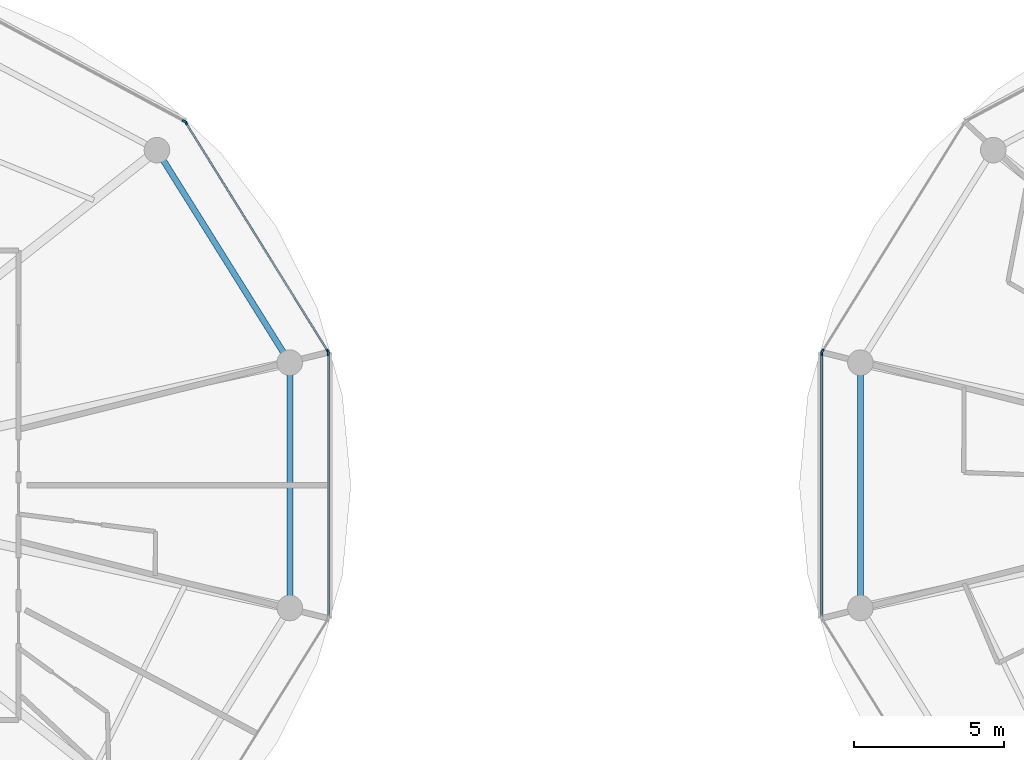
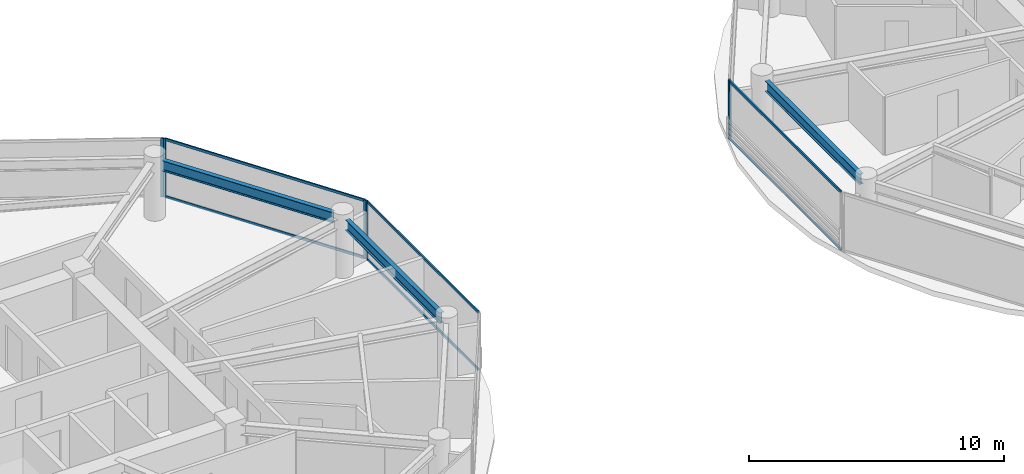
# One storey, part 7 of 24: 12 members, 3 beams, 5 elements without a shape of their own.
"""IFC4 building model written with IfcOpenShell, lengths in metres."""

import ifcopenshell
import ifcopenshell.guid

model = None  # the IFC model being written
_history = None  # IfcOwnerHistory: only IFC2X3 demands one
_inside = {}  # id of a spatial element -> (the spatial element, [elements in it])
_under = {}  # id of a project, library or spatial element -> (it, [spatial elements below it])
_declared = {}  # id of a project -> (the project, [libraries it declares])
_typed = {}  # id of a type object -> (the type object, [elements of that type])
_made_of = {}  # id of a material, layer set ... -> (it, [elements and type objects made of it])


def new_model(schema):
    """Start an empty IFC model of exactly this schema.

    Asked for "IFC4X3", IfcOpenShell would pick the latest addendum, in which some entities
    have other attributes; the version numbers below select the first issue.
    IFC2X3 requires an IfcOwnerHistory on every rooted entity: one is made here for all.
    """
    global model, _history
    if schema == "IFC4X3":
        model = ifcopenshell.file(schema_version=(4, 3, 0, 0))
    else:
        model = ifcopenshell.file(schema=schema)
    _inside.clear()
    _under.clear()
    _declared.clear()
    _typed.clear()
    _made_of.clear()
    _history = None
    if model.schema == "IFC2X3":
        org = make("IfcOrganization", Name="unknown")
        user = make(
            "IfcPersonAndOrganization",
            ThePerson=make("IfcPerson", FamilyName="unknown"),
            TheOrganization=org,
        )
        app = make(
            "IfcApplication",
            ApplicationDeveloper=org,
            Version="unknown",
            ApplicationFullName="unknown",
            ApplicationIdentifier="unknown",
        )
        _history = make(
            "IfcOwnerHistory",
            OwningUser=user,
            OwningApplication=app,
            ChangeAction="ADDED",
            CreationDate=0,
        )
    return model


def make(cls, **values):
    """One entity of the class cls with the attributes given. An attribute that is None is left unset."""
    return model.create_entity(
        cls, **{name: value for name, value in values.items() if value is not None}
    )


def rooted(cls, **values):
    """An entity with a GlobalId (a new one), such as an element, a storey or a relation."""
    return make(cls, GlobalId=ifcopenshell.guid.new(), OwnerHistory=_history, **values)


def si_unit(unit_type, name, prefix=None):
    """IfcSIUnit, for example si_unit("LENGTHUNIT", "METRE", prefix="MILLI")."""
    return make("IfcSIUnit", UnitType=unit_type, Prefix=prefix, Name=name)


def assignment(units):
    """IfcUnitAssignment: the units of a project."""
    return None if units is None else make("IfcUnitAssignment", Units=units)


def point(xyz):
    """IfcCartesianPoint."""
    return None if xyz is None else make("IfcCartesianPoint", Coordinates=xyz)


def direction(xyz):
    """IfcDirection."""
    return None if xyz is None else make("IfcDirection", DirectionRatios=xyz)


def frame(location, z_axis=None, x_axis=None):
    """IfcAxis2Placement3D, a coordinate frame: its origin and axes. An axis left out is left unset."""
    return make(
        "IfcAxis2Placement3D",
        Location=point(location),
        Axis=direction(z_axis),
        RefDirection=direction(x_axis),
    )


def frame_2d(location, x_axis=None):
    """IfcAxis2Placement2D, a coordinate frame in the plane: its origin and x axis."""
    return make(
        "IfcAxis2Placement2D", Location=point(location), RefDirection=direction(x_axis)
    )


def origin():
    """The frame at (0, 0, 0) with its axes left unset."""
    return frame((0.0, 0.0, 0.0))


def origin_2d():
    """The frame at (0, 0) in the plane with its x axis left unset."""
    return frame_2d((0.0, 0.0))


def place(relative_to, where):
    """IfcLocalPlacement: puts the frame where relative to a parent placement (None: the world)."""
    return make(
        "IfcLocalPlacement", PlacementRelTo=relative_to, RelativePlacement=where
    )


def context(
    kind, dimensions, precision=None, world=None, true_north=None, identifier=None
):
    """IfcGeometricRepresentationContext, for example the 3D "Model" context."""
    return make(
        "IfcGeometricRepresentationContext",
        ContextIdentifier=identifier,
        ContextType=kind,
        CoordinateSpaceDimension=dimensions,
        Precision=precision,
        WorldCoordinateSystem=world,
        TrueNorth=true_north,
    )


def subcontext(parent, identifier, kind, view, scale=None):
    """IfcGeometricRepresentationSubContext, for example "Body" below "Model"."""
    return make(
        "IfcGeometricRepresentationSubContext",
        ContextIdentifier=identifier,
        ContextType=kind,
        ParentContext=parent,
        TargetScale=scale,
        TargetView=view,
    )


def project(units=None, contexts=None):
    """IfcProject with its units and contexts."""
    return rooted(
        "IfcProject",
        Name="project",
        RepresentationContexts=contexts,
        UnitsInContext=assignment(units),
    )


def spatial(cls, under=None, at=None, **own):
    """A site, building, storey or space (cls), placed at a placement, below another one or the project."""
    s = rooted(cls, ObjectPlacement=at, **own)
    if under is not None:
        _under.setdefault(under.id(), (under, []))[1].append(s)
    return s


def profile(cls, at=None, kind="AREA", **sizes):
    """A parametric profile (cls). Its sizes go by their IFC names, for example OverallWidth=200.0."""
    return make(cls, ProfileType=kind, Position=at, **sizes)


def rectangle(**sizes):
    """IfcRectangleProfileDef."""
    return profile("IfcRectangleProfileDef", **sizes)


def i_section(**sizes):
    """IfcIShapeProfileDef."""
    return profile("IfcIShapeProfileDef", **sizes)


def extrude(swept, where, along, depth):
    """IfcExtrudedAreaSolid: the profile swept, set in the frame where, extruded along a direction by depth."""
    return make(
        "IfcExtrudedAreaSolid",
        SweptArea=swept,
        Position=where,
        ExtrudedDirection=direction(along),
        Depth=depth,
    )


def shape(context_of_items, identifier, shape_type, items):
    """IfcShapeRepresentation: the items that make up one representation, for example the "Body"."""
    return make(
        "IfcShapeRepresentation",
        ContextOfItems=context_of_items,
        RepresentationIdentifier=identifier,
        RepresentationType=shape_type,
        Items=items,
    )


def source(mapping_origin, context_of_items, identifier, shape_type, items):
    """IfcRepresentationMap: a shape defined once, which mapped items show again and again."""
    return make(
        "IfcRepresentationMap",
        MappingOrigin=mapping_origin,
        MappedRepresentation=shape(context_of_items, identifier, shape_type, items),
    )


def transform(
    local_origin,
    x_axis=None,
    y_axis=None,
    z_axis=None,
    scale=None,
    scale2=None,
    scale3=None,
    uniform=True,
):
    """IfcCartesianTransformationOperator3D, or its non-uniform kind. x_axis, y_axis, z_axis: its Axis1, 2, 3."""
    if uniform:
        return make(
            "IfcCartesianTransformationOperator3D",
            Axis1=direction(x_axis),
            Axis2=direction(y_axis),
            LocalOrigin=point(local_origin),
            Scale=scale,
            Axis3=direction(z_axis),
        )
    return make(
        "IfcCartesianTransformationOperator3DnonUniform",
        Axis1=direction(x_axis),
        Axis2=direction(y_axis),
        LocalOrigin=point(local_origin),
        Scale=scale,
        Axis3=direction(z_axis),
        Scale2=scale2,
        Scale3=scale3,
    )


def mapped(mapping_source, mapping_target):
    """IfcMappedItem: shows the shape of a source again, moved by a transform."""
    return make(
        "IfcMappedItem", MappingSource=mapping_source, MappingTarget=mapping_target
    )


def material(Name=None, Category=None):
    """IfcMaterial."""
    return make("IfcMaterial", Name=Name, Category=Category)


def layer(
    of_material, thickness, ventilated=None, Name=None, Category=None, Priority=None
):
    """IfcMaterialLayer: one layer of a wall or slab, of a material (None: an air gap)."""
    return make(
        "IfcMaterialLayer",
        Material=of_material,
        LayerThickness=thickness,
        IsVentilated=ventilated,
        Name=Name,
        Category=Category,
        Priority=Priority,
    )


def layer_set(layers, Name=None):
    """IfcMaterialLayerSet."""
    return make("IfcMaterialLayerSet", MaterialLayers=layers, LayerSetName=Name)


def material_profile(
    of_material, cross_section, Name=None, Category=None, Priority=None
):
    """IfcMaterialProfile: a cross section and its material."""
    return make(
        "IfcMaterialProfile",
        Name=Name,
        Material=of_material,
        Profile=cross_section,
        Priority=Priority,
        Category=Category,
    )


def profile_set(profiles, Name=None, composite=None):
    """IfcMaterialProfileSet."""
    return make(
        "IfcMaterialProfileSet",
        Name=Name,
        MaterialProfiles=profiles,
        CompositeProfile=composite,
    )


def made_of(thing, what):
    """Note that an element or type object is made of a material, layer set ...; save() writes the relation."""
    if what is not None:
        _made_of.setdefault(what.id(), (what, []))[1].append(thing)
    return thing


def type_object(cls, material=None, **own):
    """A type object (cls), such as IfcWallType, which elements share."""
    return made_of(rooted(cls, **own), material)


def type_shapes(of_type, sources):
    """Give a type object the sources (RepresentationMaps) that its elements show as mapped items."""
    of_type.RepresentationMaps = sources


def element(
    cls,
    number,
    at=None,
    inside=None,
    cuts=None,
    type_object=None,
    material=None,
    context=None,
    identifier="Body",
    shape_type=None,
    held_by="IfcProductDefinitionShape",
    body=None,
    shapes=None,
    **own,
):
    """One element of the class cls, such as IfcWall. Its Tag is "e" and its number.

    at: its placement. inside: the storey or other place that contains it. cuts: it is an
    opening in that element (IfcRelVoidsElement). A single representation is given by context,
    identifier, shape_type and body (its items); several are given by shapes. held_by: the class
    of the entity that holds the representations. save() writes the other relations.
    """
    e = rooted(cls, Tag="e%d" % number, ObjectPlacement=at, **own)
    if body is not None:
        shapes = [shape(context, identifier, shape_type, body)]
    if shapes is not None:
        e.Representation = make(held_by, Representations=shapes)
    if inside is not None:
        _inside.setdefault(inside.id(), (inside, []))[1].append(e)
    if cuts is not None:
        rooted(
            "IfcRelVoidsElement", RelatingBuildingElement=cuts, RelatedOpeningElement=e
        )
    if type_object is not None:
        _typed.setdefault(type_object.id(), (type_object, []))[1].append(e)
    return made_of(e, material)


def aggregate(whole, parts):
    """IfcRelAggregates: a whole, such as a stair, and the parts it consists of."""
    return rooted("IfcRelAggregates", RelatingObject=whole, RelatedObjects=parts)


def save(model, path):
    """Write the relations noted so far, then the file.

    IfcRelAggregates (storeys below a building ...), IfcRelContainedInSpatialStructure (elements
    in a storey), IfcRelDefinesByType, IfcRelAssociatesMaterial and IfcRelDeclares: one each for
    every whole, place, type object, material and project.
    """
    for whole, parts in _under.values():
        aggregate(whole, parts)
    for where, things in _inside.values():
        rooted(
            "IfcRelContainedInSpatialStructure",
            RelatedElements=things,
            RelatingStructure=where,
        )
    for kind, things in _typed.values():
        rooted("IfcRelDefinesByType", RelatedObjects=things, RelatingType=kind)
    for what, things in _made_of.values():
        rooted("IfcRelAssociatesMaterial", RelatedObjects=things, RelatingMaterial=what)
    for by, libraries in _declared.values():
        rooted("IfcRelDeclares", RelatingContext=by, RelatedDefinitions=libraries)
    model.write(path)


model = new_model("IFC4")

# Units and contexts
model_context = context("Model", 3, precision=1e-05, world=origin(), true_north=direction((0.0, 1.0)))
body_context = subcontext(model_context, "Body", "Model", "MODEL_VIEW")
ifc_project = project(units=[si_unit("LENGTHUNIT", "METRE"), si_unit("AREAUNIT", "SQUARE_METRE"), si_unit("VOLUMEUNIT", "CUBIC_METRE"), si_unit("PLANEANGLEUNIT", "RADIAN"), si_unit("MASSUNIT", "GRAM", prefix="KILO")], contexts=[model_context])

# Site, building, storey
site_placement = place(None, origin())
site = spatial("IfcSite", under=ifc_project, at=site_placement, CompositionType="ELEMENT")
building_placement = place(site_placement, origin())
building = spatial("IfcBuilding", under=site, at=building_placement, Name="Norrkilde Senior Care Towers", CompositionType="ELEMENT")
storey_placement = place(building_placement, frame((0.0, 0.0, 102.35009765625)))
storey = spatial("IfcBuildingStorey", under=building, at=storey_placement, Name="L31", CompositionType="ELEMENT", Elevation=102.35009765625)

# Beams
ifc_material_1 = material(Name="Steel S355", Category="steel")
ifc_material_profile_1 = material_profile(ifc_material_1, i_section(OverallWidth=0.199951171875, OverallDepth=0.5, WebThickness=0.01025390625, FlangeThickness=0.01611328125, FilletRadius=0.02099609375, at=origin_2d()), Name="IPE 500")
ifc_profile_set_1 = profile_set([ifc_material_profile_1], Name="Steel S355")
beam_type = type_object("IfcBeamType", Name="Perimeter Ring Spandrel Z2 IPE500", PredefinedType="SPANDREL", material=ifc_profile_set_1)
shared_shape_1 = source(origin(), body_context, "Body", "SweptSolid", [
    extrude(i_section(OverallWidth=0.199951171875, OverallDepth=0.5, WebThickness=0.01025390625, FlangeThickness=0.01611328125, FilletRadius=0.02099609375, at=origin_2d()), origin(), (0.0, 0.0, 1.0), 7.55615234375),
])
beam_placement = place(storey_placement, frame((-9.68505859375, 4.40283203125, 2.539794921875), z_axis=(-0.529981514254, 0.848009194849, 0.0), x_axis=(-0.848009194849, -0.529981514254, 0.0)))
element("IfcBeam", 1, at=beam_placement, inside=storey, type_object=beam_type, Name="L31 Drum W Perimeter Spandrel 01", PredefinedType="SPANDREL", context=body_context, shape_type="MappedRepresentation", body=[
    mapped(shared_shape_1, transform((0.0, 0.0, 0.0), x_axis=(1.0, 0.0, 0.0), y_axis=(0.0, 1.0, 0.0), z_axis=(0.0, 0.0, 1.0), scale=1.0)),
])
shared_shape_2 = source(origin(), body_context, "Body", "SweptSolid", [
    extrude(i_section(OverallWidth=0.199951171875, OverallDepth=0.5, WebThickness=0.01025390625, FlangeThickness=0.01611328125, FilletRadius=0.02099609375, at=origin_2d()), origin(), (0.0, 0.0, 1.0), 7.3828125),
])
type_shapes(beam_type, [shared_shape_1, shared_shape_2])
for number, where, z_axis, x_axis, name in (
    (2, (-9.48095703125, -3.69140625, 2.539794921875), (0.0, 1.0, 0.0), (-1.0, 0.0, 0.0), "L31 Drum W Perimeter Spandrel 12"),
    (3, (9.48095703125, 3.69140625, 2.539794921875), (0.0, -1.0, 0.0), (1.0, 0.0, 0.0), "L31 Drum E Perimeter Spandrel 06"),
):
    element("IfcBeam", number, at=place(storey_placement, frame(where, z_axis=z_axis, x_axis=x_axis)), inside=storey, type_object=beam_type, Name=name, PredefinedType="SPANDREL", context=body_context, shape_type="MappedRepresentation", body=[
        mapped(shared_shape_2, transform((0.0, 0.0, 0.0), x_axis=(1.0, 0.0, 0.0), y_axis=(0.0, 1.0, 0.0), z_axis=(0.0, 0.0, 1.0), scale=1.0)),
    ])

# Curtain wall, members
ifc_material_2 = material(Name="Triple Low-E Insulated Glazing", Category="glass")
ifc_layer = layer(ifc_material_2, 0.195068359375)
ifc_layer_set = layer_set([ifc_layer], Name="Triple Low-E Insulated Glazing")
curtain_wall_type = type_object("IfcCurtainWallType", Name="CW3 Zone 2 Assisted Living Curtain Wall", PredefinedType="NOTDEFINED", material=ifc_layer_set)
curtain_wall_1_placement = place(storey_placement, origin())
curtain_wall_1 = element("IfcCurtainWall", 4, at=curtain_wall_1_placement, inside=storey, type_object=curtain_wall_type, Name="L31 Drum W Curtain Wall 00", PredefinedType="NOTDEFINED")
ifc_material_3 = material(Name="Anodised Aluminium", Category="aluminium")
ifc_material_profile_2 = material_profile(ifc_material_3, rectangle(XDim=0.06494140625, YDim=0.159912109375, at=origin_2d()), Name="ALU MULL 65x160")
ifc_profile_set_2 = profile_set([ifc_material_profile_2], Name="Anodised Aluminium")
member_type_1 = type_object("IfcMemberType", Name="Curtain Wall Mullion Z1-Z2 65x160", PredefinedType="MULLION", material=ifc_profile_set_2)
shared_shape_3 = source(origin(), body_context, "Body", "SweptSolid", [
    extrude(rectangle(XDim=0.06494140625, YDim=0.159912109375, at=origin_2d()), origin(), (0.0, 0.0, 1.0), 2.789794921875),
])
type_shapes(member_type_1, [shared_shape_3])
member_1_placement = place(storey_placement, frame((-12.936279296875, 12.0498046875, 0.0), z_axis=(0.0, 0.0, 1.0), x_axis=(0.849410171862, 0.527733228002, 0.0)))
member_1 = element("IfcMember", 5, at=member_1_placement, type_object=member_type_1, Name="CW-3 mullion 1", PredefinedType="MULLION", context=body_context, shape_type="MappedRepresentation", body=[
    mapped(shared_shape_3, transform((0.0, 0.0, 0.0), x_axis=(1.0, 0.0, 0.0), y_axis=(0.0, 1.0, 0.0), z_axis=(0.0, 0.0, 1.0), scale=1.0)),
])
member_2_placement = place(storey_placement, frame((-8.21337890625, 4.4482421875, 0.0), z_axis=(0.0, 0.0, 1.0), x_axis=(0.849410171862, 0.527733228002, 0.0)))
member_2 = element("IfcMember", 6, at=member_2_placement, type_object=member_type_1, Name="CW-3 mullion 2", PredefinedType="MULLION", context=body_context, shape_type="MappedRepresentation", body=[
    mapped(shared_shape_3, transform((0.0, 0.0, 0.0), x_axis=(1.0, 0.0, 0.0), y_axis=(0.0, 1.0, 0.0), z_axis=(0.0, 0.0, 1.0), scale=1.0)),
])

# Curtain wall, member
curtain_wall_2_placement = place(storey_placement, origin())
curtain_wall_2 = element("IfcCurtainWall", 7, at=curtain_wall_2_placement, inside=storey, type_object=curtain_wall_type, Name="L31 Drum W Curtain Wall 01", PredefinedType="NOTDEFINED")
member_3_placement = place(storey_placement, frame((-12.98193359375, 12.0927734375, 0.0), z_axis=(0.0, 0.0, 1.0), x_axis=(0.472769402511, 0.881186184668, 0.0)))
member_3 = element("IfcMember", 8, at=member_3_placement, type_object=member_type_1, Name="CW-3 mullion 2", PredefinedType="MULLION", context=body_context, shape_type="MappedRepresentation", body=[
    mapped(shared_shape_3, transform((0.0, 0.0, 0.0), x_axis=(1.0, 0.0, 0.0), y_axis=(0.0, 1.0, 0.0), z_axis=(0.0, 0.0, 1.0), scale=1.0)),
])
aggregate(curtain_wall_2, [member_3])

curtain_wall_3_placement = place(storey_placement, origin())
curtain_wall_3 = element("IfcCurtainWall", 9, at=curtain_wall_3_placement, inside=storey, type_object=curtain_wall_type, Name="L31 Drum W Curtain Wall 11", PredefinedType="NOTDEFINED")
member_4_placement = place(storey_placement, frame((-8.1962890625, 4.38818359375, 0.0), z_axis=(0.0, 0.0, 1.0), x_axis=(1.0, 0.0, 0.0)))
member_4 = element("IfcMember", 10, at=member_4_placement, type_object=member_type_1, Name="CW-3 mullion 1", PredefinedType="MULLION", context=body_context, shape_type="MappedRepresentation", body=[
    mapped(shared_shape_3, transform((0.0, 0.0, 0.0), x_axis=(1.0, 0.0, 0.0), y_axis=(0.0, 1.0, 0.0), z_axis=(0.0, 0.0, 1.0), scale=1.0)),
])

curtain_wall_4_placement = place(storey_placement, origin())
curtain_wall_4 = element("IfcCurtainWall", 11, at=curtain_wall_4_placement, inside=storey, type_object=curtain_wall_type, Name="L31 Drum E Curtain Wall 04", PredefinedType="NOTDEFINED")
member_5_placement = place(storey_placement, frame((8.21337890625, 4.4482421875, 0.0), z_axis=(0.0, 0.0, 1.0), x_axis=(-0.849410171862, 0.527733228002, 0.0)))
member_5 = element("IfcMember", 12, at=member_5_placement, type_object=member_type_1, Name="CW-3 mullion 1", PredefinedType="MULLION", context=body_context, shape_type="MappedRepresentation", body=[
    mapped(shared_shape_3, transform((0.0, 0.0, 0.0), x_axis=(1.0, 0.0, 0.0), y_axis=(0.0, 1.0, 0.0), z_axis=(0.0, 0.0, 1.0), scale=1.0)),
])
aggregate(curtain_wall_4, [member_5])

curtain_wall_5_placement = place(storey_placement, origin())
curtain_wall_5 = element("IfcCurtainWall", 13, at=curtain_wall_5_placement, inside=storey, type_object=curtain_wall_type, Name="L31 Drum E Curtain Wall 05", PredefinedType="NOTDEFINED")
member_6_placement = place(storey_placement, frame((8.1962890625, 4.38818359375, 0.0), z_axis=(0.0, 0.0, 1.0), x_axis=(-1.0, 0.0, 0.0)))
member_6 = element("IfcMember", 14, at=member_6_placement, type_object=member_type_1, Name="CW-3 mullion 2", PredefinedType="MULLION", context=body_context, shape_type="MappedRepresentation", body=[
    mapped(shared_shape_3, transform((0.0, 0.0, 0.0), x_axis=(1.0, 0.0, 0.0), y_axis=(0.0, 1.0, 0.0), z_axis=(0.0, 0.0, 1.0), scale=1.0)),
])

# Member
ifc_material_profile_3 = material_profile(ifc_material_3, rectangle(XDim=0.06005859375, YDim=0.1201171875, at=origin_2d()), Name="ALU TRAN 60x120")
ifc_profile_set_3 = profile_set([ifc_material_profile_3], Name="Anodised Aluminium")
member_type_2 = type_object("IfcMemberType", Name="Curtain Wall Transom Typical 60x120", PredefinedType="USERDEFINED", material=ifc_profile_set_3)
shared_shape_4 = source(origin(), body_context, "Body", "SweptSolid", [
    extrude(rectangle(XDim=0.06005859375, YDim=0.1201171875, at=origin_2d()), origin(), (0.0, 0.0, 1.0), 8.88427734375),
])
member_7_placement = place(storey_placement, frame((-12.919189453125, 12.022216796875, 0.02978515625), z_axis=(0.527749293309, -0.849400190377, 0.0), x_axis=(0.849400190377, 0.527749293309, 0.0)))
member_7 = element("IfcMember", 15, at=member_7_placement, type_object=member_type_2, Name="CW-3 transom 1.1", ObjectType="TRANSOM", PredefinedType="USERDEFINED", context=body_context, shape_type="MappedRepresentation", body=[
    mapped(shared_shape_4, transform((0.0, 0.0, 0.0), x_axis=(1.0, 0.0, 0.0), y_axis=(0.0, 1.0, 0.0), z_axis=(0.0, 0.0, 1.0), scale=1.0)),
])

member_8_placement = place(storey_placement, frame((-12.919189453125, 12.022216796875, 2.760009765625), z_axis=(0.527749293309, -0.849400190377, 0.0), x_axis=(0.849400190377, 0.527749293309, 0.0)))
member_8 = element("IfcMember", 16, at=member_8_placement, type_object=member_type_2, Name="CW-3 transom 1.2", ObjectType="TRANSOM", PredefinedType="USERDEFINED", context=body_context, shape_type="MappedRepresentation", body=[
    mapped(shared_shape_4, transform((0.0, 0.0, 0.0), x_axis=(1.0, 0.0, 0.0), y_axis=(0.0, 1.0, 0.0), z_axis=(0.0, 0.0, 1.0), scale=1.0)),
])

aggregate(curtain_wall_1, [member_1, member_2, member_7, member_8])

shared_shape_5 = source(origin(), body_context, "Body", "SweptSolid", [
    extrude(rectangle(XDim=0.06005859375, YDim=0.1201171875, at=origin_2d()), origin(), (0.0, 0.0, 1.0), 8.71142578125),
])
type_shapes(member_type_2, [shared_shape_4, shared_shape_5])
member_9_placement = place(storey_placement, frame((-8.1962890625, 4.355712890625, 0.02978515625), z_axis=(0.0, -1.0, 0.0), x_axis=(1.0, 0.0, 0.0)))
member_9 = element("IfcMember", 17, at=member_9_placement, type_object=member_type_2, Name="CW-3 transom 1.1", ObjectType="TRANSOM", PredefinedType="USERDEFINED", context=body_context, shape_type="MappedRepresentation", body=[
    mapped(shared_shape_5, transform((0.0, 0.0, 0.0), x_axis=(1.0, 0.0, 0.0), y_axis=(0.0, 1.0, 0.0), z_axis=(0.0, 0.0, 1.0), scale=1.0)),
])

member_10_placement = place(storey_placement, frame((-8.1962890625, 4.355712890625, 2.760009765625), z_axis=(0.0, -1.0, 0.0), x_axis=(1.0, 0.0, 0.0)))
member_10 = element("IfcMember", 18, at=member_10_placement, type_object=member_type_2, Name="CW-3 transom 1.2", ObjectType="TRANSOM", PredefinedType="USERDEFINED", context=body_context, shape_type="MappedRepresentation", body=[
    mapped(shared_shape_5, transform((0.0, 0.0, 0.0), x_axis=(1.0, 0.0, 0.0), y_axis=(0.0, 1.0, 0.0), z_axis=(0.0, 0.0, 1.0), scale=1.0)),
])

aggregate(curtain_wall_3, [member_4, member_9, member_10])

member_11_placement = place(storey_placement, frame((8.1962890625, -4.355712890625, 0.02978515625), z_axis=(0.0, 1.0, 0.0), x_axis=(-1.0, 0.0, 0.0)))
member_11 = element("IfcMember", 19, at=member_11_placement, type_object=member_type_2, Name="CW-3 transom 1.1", ObjectType="TRANSOM", PredefinedType="USERDEFINED", context=body_context, shape_type="MappedRepresentation", body=[
    mapped(shared_shape_5, transform((0.0, 0.0, 0.0), x_axis=(1.0, 0.0, 0.0), y_axis=(0.0, 1.0, 0.0), z_axis=(0.0, 0.0, 1.0), scale=1.0)),
])

member_12_placement = place(storey_placement, frame((8.1962890625, -4.355712890625, 2.760009765625), z_axis=(0.0, 1.0, 0.0), x_axis=(-1.0, 0.0, 0.0)))
member_12 = element("IfcMember", 20, at=member_12_placement, type_object=member_type_2, Name="CW-3 transom 1.2", ObjectType="TRANSOM", PredefinedType="USERDEFINED", context=body_context, shape_type="MappedRepresentation", body=[
    mapped(shared_shape_5, transform((0.0, 0.0, 0.0), x_axis=(1.0, 0.0, 0.0), y_axis=(0.0, 1.0, 0.0), z_axis=(0.0, 0.0, 1.0), scale=1.0)),
])

aggregate(curtain_wall_5, [member_6, member_11, member_12])

save(model, "model.ifc")
